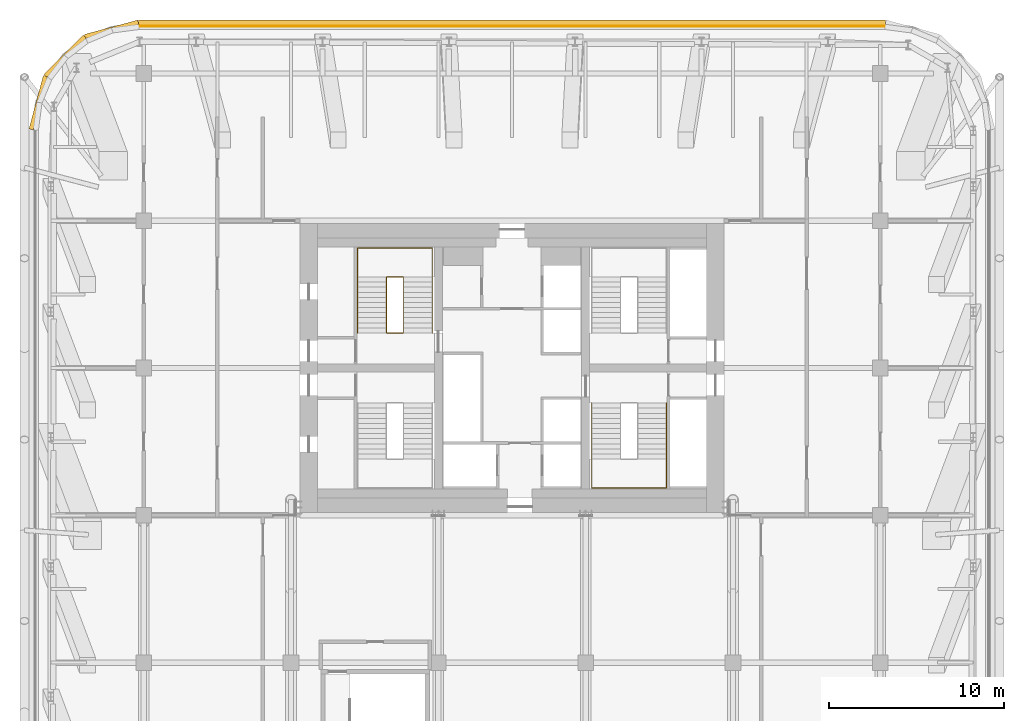
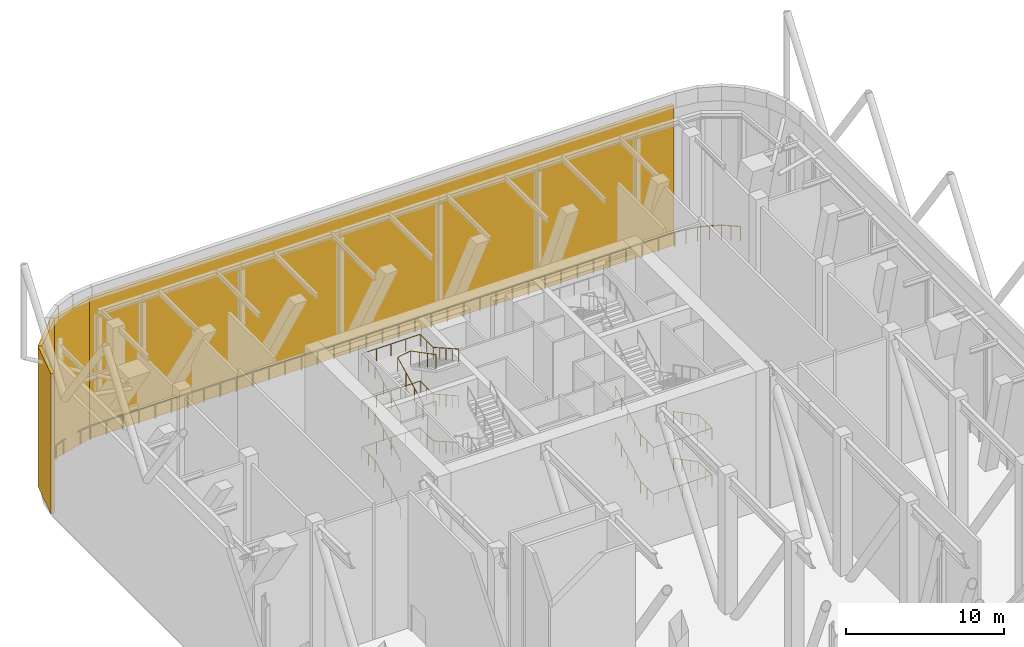
# One storey, part 18 of 20: 7 railings, 4 shading devices.
"""IFC4 building model written with IfcOpenShell, lengths in metres."""

import ifcopenshell
import ifcopenshell.guid

model = None  # the IFC model being written
_history = None  # IfcOwnerHistory: only IFC2X3 demands one
_inside = {}  # id of a spatial element -> (the spatial element, [elements in it])
_under = {}  # id of a project, library or spatial element -> (it, [spatial elements below it])
_declared = {}  # id of a project -> (the project, [libraries it declares])
_typed = {}  # id of a type object -> (the type object, [elements of that type])
_made_of = {}  # id of a material, layer set ... -> (it, [elements and type objects made of it])


def new_model(schema):
    """Start an empty IFC model of exactly this schema.

    Asked for "IFC4X3", IfcOpenShell would pick the latest addendum, in which some entities
    have other attributes; the version numbers below select the first issue.
    IFC2X3 requires an IfcOwnerHistory on every rooted entity: one is made here for all.
    """
    global model, _history
    if schema == "IFC4X3":
        model = ifcopenshell.file(schema_version=(4, 3, 0, 0))
    else:
        model = ifcopenshell.file(schema=schema)
    _inside.clear()
    _under.clear()
    _declared.clear()
    _typed.clear()
    _made_of.clear()
    _history = None
    if model.schema == "IFC2X3":
        org = make("IfcOrganization", Name="unknown")
        user = make(
            "IfcPersonAndOrganization",
            ThePerson=make("IfcPerson", FamilyName="unknown"),
            TheOrganization=org,
        )
        app = make(
            "IfcApplication",
            ApplicationDeveloper=org,
            Version="unknown",
            ApplicationFullName="unknown",
            ApplicationIdentifier="unknown",
        )
        _history = make(
            "IfcOwnerHistory",
            OwningUser=user,
            OwningApplication=app,
            ChangeAction="ADDED",
            CreationDate=0,
        )
    return model


def make(cls, **values):
    """One entity of the class cls with the attributes given. An attribute that is None is left unset."""
    return model.create_entity(
        cls, **{name: value for name, value in values.items() if value is not None}
    )


def rooted(cls, **values):
    """An entity with a GlobalId (a new one), such as an element, a storey or a relation."""
    return make(cls, GlobalId=ifcopenshell.guid.new(), OwnerHistory=_history, **values)


def si_unit(unit_type, name, prefix=None):
    """IfcSIUnit, for example si_unit("LENGTHUNIT", "METRE", prefix="MILLI")."""
    return make("IfcSIUnit", UnitType=unit_type, Prefix=prefix, Name=name)


def assignment(units):
    """IfcUnitAssignment: the units of a project."""
    return None if units is None else make("IfcUnitAssignment", Units=units)


def point(xyz):
    """IfcCartesianPoint."""
    return None if xyz is None else make("IfcCartesianPoint", Coordinates=xyz)


def direction(xyz):
    """IfcDirection."""
    return None if xyz is None else make("IfcDirection", DirectionRatios=xyz)


def frame(location, z_axis=None, x_axis=None):
    """IfcAxis2Placement3D, a coordinate frame: its origin and axes. An axis left out is left unset."""
    return make(
        "IfcAxis2Placement3D",
        Location=point(location),
        Axis=direction(z_axis),
        RefDirection=direction(x_axis),
    )


def frame_2d(location, x_axis=None):
    """IfcAxis2Placement2D, a coordinate frame in the plane: its origin and x axis."""
    return make(
        "IfcAxis2Placement2D", Location=point(location), RefDirection=direction(x_axis)
    )


def origin():
    """The frame at (0, 0, 0) with its axes left unset."""
    return frame((0.0, 0.0, 0.0))


def origin_2d():
    """The frame at (0, 0) in the plane with its x axis left unset."""
    return frame_2d((0.0, 0.0))


def place(relative_to, where):
    """IfcLocalPlacement: puts the frame where relative to a parent placement (None: the world)."""
    return make(
        "IfcLocalPlacement", PlacementRelTo=relative_to, RelativePlacement=where
    )


def context(
    kind, dimensions, precision=None, world=None, true_north=None, identifier=None
):
    """IfcGeometricRepresentationContext, for example the 3D "Model" context."""
    return make(
        "IfcGeometricRepresentationContext",
        ContextIdentifier=identifier,
        ContextType=kind,
        CoordinateSpaceDimension=dimensions,
        Precision=precision,
        WorldCoordinateSystem=world,
        TrueNorth=true_north,
    )


def subcontext(parent, identifier, kind, view, scale=None):
    """IfcGeometricRepresentationSubContext, for example "Body" below "Model"."""
    return make(
        "IfcGeometricRepresentationSubContext",
        ContextIdentifier=identifier,
        ContextType=kind,
        ParentContext=parent,
        TargetScale=scale,
        TargetView=view,
    )


def project(units=None, contexts=None):
    """IfcProject with its units and contexts."""
    return rooted(
        "IfcProject",
        Name="project",
        RepresentationContexts=contexts,
        UnitsInContext=assignment(units),
    )


def spatial(cls, under=None, at=None, **own):
    """A site, building, storey or space (cls), placed at a placement, below another one or the project."""
    s = rooted(cls, ObjectPlacement=at, **own)
    if under is not None:
        _under.setdefault(under.id(), (under, []))[1].append(s)
    return s


def profile(cls, at=None, kind="AREA", **sizes):
    """A parametric profile (cls). Its sizes go by their IFC names, for example OverallWidth=200.0."""
    return make(cls, ProfileType=kind, Position=at, **sizes)


def rectangle(**sizes):
    """IfcRectangleProfileDef."""
    return profile("IfcRectangleProfileDef", **sizes)


def circle(**sizes):
    """IfcCircleProfileDef."""
    return profile("IfcCircleProfileDef", **sizes)


def extrude(swept, where, along, depth):
    """IfcExtrudedAreaSolid: the profile swept, set in the frame where, extruded along a direction by depth."""
    return make(
        "IfcExtrudedAreaSolid",
        SweptArea=swept,
        Position=where,
        ExtrudedDirection=direction(along),
        Depth=depth,
    )


def shape(context_of_items, identifier, shape_type, items):
    """IfcShapeRepresentation: the items that make up one representation, for example the "Body"."""
    return make(
        "IfcShapeRepresentation",
        ContextOfItems=context_of_items,
        RepresentationIdentifier=identifier,
        RepresentationType=shape_type,
        Items=items,
    )


def material(Name=None, Category=None):
    """IfcMaterial."""
    return make("IfcMaterial", Name=Name, Category=Category)


def layer(
    of_material, thickness, ventilated=None, Name=None, Category=None, Priority=None
):
    """IfcMaterialLayer: one layer of a wall or slab, of a material (None: an air gap)."""
    return make(
        "IfcMaterialLayer",
        Material=of_material,
        LayerThickness=thickness,
        IsVentilated=ventilated,
        Name=Name,
        Category=Category,
        Priority=Priority,
    )


def layer_set(layers, Name=None):
    """IfcMaterialLayerSet."""
    return make("IfcMaterialLayerSet", MaterialLayers=layers, LayerSetName=Name)


def made_of(thing, what):
    """Note that an element or type object is made of a material, layer set ...; save() writes the relation."""
    if what is not None:
        _made_of.setdefault(what.id(), (what, []))[1].append(thing)
    return thing


def type_object(cls, material=None, **own):
    """A type object (cls), such as IfcWallType, which elements share."""
    return made_of(rooted(cls, **own), material)


def element(
    cls,
    number,
    at=None,
    inside=None,
    cuts=None,
    type_object=None,
    material=None,
    context=None,
    identifier="Body",
    shape_type=None,
    held_by="IfcProductDefinitionShape",
    body=None,
    shapes=None,
    **own,
):
    """One element of the class cls, such as IfcWall. Its Tag is "e" and its number.

    at: its placement. inside: the storey or other place that contains it. cuts: it is an
    opening in that element (IfcRelVoidsElement). A single representation is given by context,
    identifier, shape_type and body (its items); several are given by shapes. held_by: the class
    of the entity that holds the representations. save() writes the other relations.
    """
    e = rooted(cls, Tag="e%d" % number, ObjectPlacement=at, **own)
    if body is not None:
        shapes = [shape(context, identifier, shape_type, body)]
    if shapes is not None:
        e.Representation = make(held_by, Representations=shapes)
    if inside is not None:
        _inside.setdefault(inside.id(), (inside, []))[1].append(e)
    if cuts is not None:
        rooted(
            "IfcRelVoidsElement", RelatingBuildingElement=cuts, RelatedOpeningElement=e
        )
    if type_object is not None:
        _typed.setdefault(type_object.id(), (type_object, []))[1].append(e)
    return made_of(e, material)


def aggregate(whole, parts):
    """IfcRelAggregates: a whole, such as a stair, and the parts it consists of."""
    return rooted("IfcRelAggregates", RelatingObject=whole, RelatedObjects=parts)


def save(model, path):
    """Write the relations noted so far, then the file.

    IfcRelAggregates (storeys below a building ...), IfcRelContainedInSpatialStructure (elements
    in a storey), IfcRelDefinesByType, IfcRelAssociatesMaterial and IfcRelDeclares: one each for
    every whole, place, type object, material and project.
    """
    for whole, parts in _under.values():
        aggregate(whole, parts)
    for where, things in _inside.values():
        rooted(
            "IfcRelContainedInSpatialStructure",
            RelatedElements=things,
            RelatingStructure=where,
        )
    for kind, things in _typed.values():
        rooted("IfcRelDefinesByType", RelatedObjects=things, RelatingType=kind)
    for what, things in _made_of.values():
        rooted("IfcRelAssociatesMaterial", RelatedObjects=things, RelatingMaterial=what)
    for by, libraries in _declared.values():
        rooted("IfcRelDeclares", RelatingContext=by, RelatedDefinitions=libraries)
    model.write(path)


model = new_model("IFC4")

# Units and contexts
model_context = context("Model", 3, precision=1e-05, world=origin(), true_north=direction((0.0, 1.0)))
body_context = subcontext(model_context, "Body", "Model", "MODEL_VIEW")
ifc_project = project(units=[si_unit("LENGTHUNIT", "METRE"), si_unit("AREAUNIT", "SQUARE_METRE"), si_unit("VOLUMEUNIT", "CUBIC_METRE"), si_unit("PLANEANGLEUNIT", "RADIAN"), si_unit("MASSUNIT", "GRAM", prefix="KILO")], contexts=[model_context])

# Site, building, storey
site_placement = place(None, origin())
site = spatial("IfcSite", under=ifc_project, at=site_placement, CompositionType="ELEMENT")
building_placement = place(site_placement, origin())
building = spatial("IfcBuilding", under=site, at=building_placement, Name="Marenta Gate Hotel Tower", CompositionType="ELEMENT")
storey_placement = place(building_placement, frame((0.0, 0.0, 169.699951171875)))
storey = spatial("IfcBuildingStorey", under=building, at=storey_placement, Name="L40", CompositionType="ELEMENT", Elevation=169.699951171875)

# Railings
ifc_material_1 = material(Name="Stainless steel", Category="steel")
railing_type_1 = type_object("IfcRailingType", Name="Core stair handrail 950", PredefinedType="HANDRAIL", material=ifc_material_1)
railing_1_placement = place(storey_placement, frame((-8.800048828125, 10.39990234375, 0.150146484375)))
element("IfcRailing", 1, at=railing_1_placement, inside=storey, type_object=railing_type_1, Name="HR-950 L40-KR-ST2-1", PredefinedType="HANDRAIL", context=body_context, shape_type="SweptSolid", body=[
    extrude(circle(Radius=0.02392578125, at=origin_2d()), frame((0.0, 0.0, 0.92578125), z_axis=(0.0, 0.888239641807, 0.459380385653), x_axis=(-1.0, 0.0, 0.0)), (0.0, 0.0, 1.0), 3.591552734375),
    extrude(circle(Radius=0.02392578125, at=origin_2d()), frame((0.0, 3.190185546875, 2.57568359375), z_axis=(0.0, 1.0, 0.0), x_axis=(-1.0, 0.0, 0.0)), (0.0, 0.0, 1.0), 1.659912109375),
    extrude(circle(Radius=0.02392578125, at=origin_2d()), frame((0.0, 4.85009765625, 2.57568359375), z_axis=(1.0, 0.0, 0.0), x_axis=(0.0, 1.0, 0.0)), (0.0, 0.0, 1.0), 4.25),
    extrude(circle(Radius=0.02392578125, at=origin_2d()), frame((4.25, 4.85009765625, 2.57568359375), z_axis=(0.0, -1.0, 0.0), x_axis=(1.0, 0.0, 0.0)), (0.0, 0.0, 1.0), 1.659912109375),
    extrude(circle(Radius=0.02392578125, at=origin_2d()), frame((4.25, 3.190185546875, 2.57568359375), z_axis=(0.0, -0.870925075533, 0.491415824742), x_axis=(1.0, 0.0, 0.0)), (0.0, 0.0, 1.0), 3.6630859375),
    extrude(circle(Radius=0.02099609375, at=origin_2d()), origin(), (0.0, 0.0, 1.0), 0.90185546875),
    extrude(circle(Radius=0.02099609375, at=origin_2d()), frame((0.0, 1.0634765625, 0.550048828125)), (0.0, 0.0, 1.0), 0.90185546875),
    extrude(circle(Radius=0.02099609375, at=origin_2d()), frame((0.0, 2.126708984375, 1.099853515625)), (0.0, 0.0, 1.0), 0.90185546875),
    extrude(circle(Radius=0.02099609375, at=origin_2d()), frame((0.0, 3.190185546875, 1.64990234375)), (0.0, 0.0, 1.0), 0.90185546875),
    extrude(circle(Radius=0.02099609375, at=origin_2d()), frame((0.0, 4.02001953125, 1.64990234375)), (0.0, 0.0, 1.0), 0.90185546875),
    extrude(circle(Radius=0.02099609375, at=origin_2d()), frame((0.0, 4.85009765625, 1.64990234375)), (0.0, 0.0, 1.0), 0.90185546875),
    extrude(circle(Radius=0.02099609375, at=origin_2d()), frame((1.0625, 4.85009765625, 1.64990234375)), (0.0, 0.0, 1.0), 0.90185546875),
    extrude(circle(Radius=0.02099609375, at=origin_2d()), frame((2.125, 4.85009765625, 1.64990234375)), (0.0, 0.0, 1.0), 0.90185546875),
    extrude(circle(Radius=0.02099609375, at=origin_2d()), frame((3.1875, 4.85009765625, 1.64990234375)), (0.0, 0.0, 1.0), 0.90185546875),
    extrude(circle(Radius=0.02099609375, at=origin_2d()), frame((4.25, 4.85009765625, 1.64990234375)), (0.0, 0.0, 1.0), 0.90185546875),
    extrude(circle(Radius=0.02099609375, at=origin_2d()), frame((4.25, 4.02001953125, 1.64990234375)), (0.0, 0.0, 1.0), 0.90185546875),
    extrude(circle(Radius=0.02099609375, at=origin_2d()), frame((4.25, 3.190185546875, 1.64990234375)), (0.0, 0.0, 1.0), 0.90185546875),
    extrude(circle(Radius=0.02099609375, at=origin_2d()), frame((4.25, 2.392578125, 2.099853515625)), (0.0, 0.0, 1.0), 0.90185546875),
    extrude(circle(Radius=0.02099609375, at=origin_2d()), frame((4.25, 1.59521484375, 2.5498046875)), (0.0, 0.0, 1.0), 0.90185546875),
    extrude(circle(Radius=0.02099609375, at=origin_2d()), frame((4.25, 0.797607421875, 3.0)), (0.0, 0.0, 1.0), 0.90185546875),
    extrude(circle(Radius=0.02099609375, at=origin_2d()), frame((4.25, 0.0, 3.449951171875)), (0.0, 0.0, 1.0), 0.90185546875),
])
railing_2_placement = place(storey_placement, frame((-8.800048828125, 10.39990234375, 3.75)))
element("IfcRailing", 2, at=railing_2_placement, inside=storey, type_object=railing_type_1, Name="HR-950 L40-KR-ST2-3", PredefinedType="HANDRAIL", context=body_context, shape_type="SweptSolid", body=[
    extrude(circle(Radius=0.02392578125, at=origin_2d()), frame((0.0, 0.0, 0.92578125), z_axis=(0.0, 0.888211904222, 0.459434013977), x_axis=(-1.0, 0.0, 0.0)), (0.0, 0.0, 1.0), 3.591796875),
    extrude(circle(Radius=0.02392578125, at=origin_2d()), frame((0.0, 3.190185546875, 2.576171875), z_axis=(0.0, 1.0, 0.0), x_axis=(-1.0, 0.0, 0.0)), (0.0, 0.0, 1.0), 1.659912109375),
    extrude(circle(Radius=0.02392578125, at=origin_2d()), frame((0.0, 4.85009765625, 2.576171875), z_axis=(1.0, 0.0, 0.0), x_axis=(0.0, 1.0, 0.0)), (0.0, 0.0, 1.0), 4.25),
    extrude(circle(Radius=0.02392578125, at=origin_2d()), frame((4.25, 4.85009765625, 2.576171875), z_axis=(0.0, -1.0, 0.0), x_axis=(1.0, 0.0, 0.0)), (0.0, 0.0, 1.0), 1.659912109375),
    extrude(circle(Radius=0.02392578125, at=origin_2d()), frame((4.25, 3.190185546875, 2.576171875), z_axis=(0.0, -0.870953600603, 0.491365266982), x_axis=(1.0, 0.0, 0.0)), (0.0, 0.0, 1.0), 3.662841796875),
    extrude(circle(Radius=0.02099609375, at=origin_2d()), origin(), (0.0, 0.0, 1.0), 0.90185546875),
    extrude(circle(Radius=0.02099609375, at=origin_2d()), frame((0.0, 1.0634765625, 0.550048828125)), (0.0, 0.0, 1.0), 0.90185546875),
    extrude(circle(Radius=0.02099609375, at=origin_2d()), frame((0.0, 2.126708984375, 1.10009765625)), (0.0, 0.0, 1.0), 0.90185546875),
    extrude(circle(Radius=0.02099609375, at=origin_2d()), frame((0.0, 3.190185546875, 1.650146484375)), (0.0, 0.0, 1.0), 0.90185546875),
    extrude(circle(Radius=0.02099609375, at=origin_2d()), frame((0.0, 4.02001953125, 1.650146484375)), (0.0, 0.0, 1.0), 0.90185546875),
    extrude(circle(Radius=0.02099609375, at=origin_2d()), frame((0.0, 4.85009765625, 1.650146484375)), (0.0, 0.0, 1.0), 0.90185546875),
    extrude(circle(Radius=0.02099609375, at=origin_2d()), frame((1.0625, 4.85009765625, 1.650146484375)), (0.0, 0.0, 1.0), 0.90185546875),
    extrude(circle(Radius=0.02099609375, at=origin_2d()), frame((2.125, 4.85009765625, 1.650146484375)), (0.0, 0.0, 1.0), 0.90185546875),
    extrude(circle(Radius=0.02099609375, at=origin_2d()), frame((3.1875, 4.85009765625, 1.650146484375)), (0.0, 0.0, 1.0), 0.90185546875),
    extrude(circle(Radius=0.02099609375, at=origin_2d()), frame((4.25, 4.85009765625, 1.650146484375)), (0.0, 0.0, 1.0), 0.90185546875),
    extrude(circle(Radius=0.02099609375, at=origin_2d()), frame((4.25, 4.02001953125, 1.650146484375)), (0.0, 0.0, 1.0), 0.90185546875),
    extrude(circle(Radius=0.02099609375, at=origin_2d()), frame((4.25, 3.190185546875, 1.650146484375)), (0.0, 0.0, 1.0), 0.90185546875),
    extrude(circle(Radius=0.02099609375, at=origin_2d()), frame((4.25, 2.392578125, 2.10009765625)), (0.0, 0.0, 1.0), 0.90185546875),
    extrude(circle(Radius=0.02099609375, at=origin_2d()), frame((4.25, 1.59521484375, 2.550048828125)), (0.0, 0.0, 1.0), 0.90185546875),
    extrude(circle(Radius=0.02099609375, at=origin_2d()), frame((4.25, 0.797607421875, 3.0)), (0.0, 0.0, 1.0), 0.90185546875),
    extrude(circle(Radius=0.02099609375, at=origin_2d()), frame((4.25, 0.0, 3.449951171875)), (0.0, 0.0, 1.0), 0.90185546875),
])
railing_3_placement = place(storey_placement, frame((-8.800048828125, 10.39990234375, 7.35009765625)))
element("IfcRailing", 3, at=railing_3_placement, inside=storey, type_object=railing_type_1, Name="HR-950 L40-KR-ST2-5", PredefinedType="HANDRAIL", context=body_context, shape_type="SweptSolid", body=[
    extrude(circle(Radius=0.02392578125, at=origin_2d()), frame((0.0, 0.0, 0.92578125), z_axis=(0.0, 0.888239641807, 0.459380385653), x_axis=(-1.0, 0.0, 0.0)), (0.0, 0.0, 1.0), 3.591552734375),
    extrude(circle(Radius=0.02392578125, at=origin_2d()), frame((0.0, 3.190185546875, 2.57568359375), z_axis=(0.0, 1.0, 0.0), x_axis=(-1.0, 0.0, 0.0)), (0.0, 0.0, 1.0), 1.659912109375),
    extrude(circle(Radius=0.02392578125, at=origin_2d()), frame((0.0, 4.85009765625, 2.57568359375), z_axis=(1.0, 0.0, 0.0), x_axis=(0.0, 1.0, 0.0)), (0.0, 0.0, 1.0), 4.25),
    extrude(circle(Radius=0.02392578125, at=origin_2d()), frame((4.25, 4.85009765625, 2.57568359375), z_axis=(0.0, -1.0, 0.0), x_axis=(1.0, 0.0, 0.0)), (0.0, 0.0, 1.0), 1.659912109375),
    extrude(circle(Radius=0.02392578125, at=origin_2d()), frame((4.25, 3.190185546875, 2.57568359375), z_axis=(0.0, -0.870925075533, 0.491415824742), x_axis=(1.0, 0.0, 0.0)), (0.0, 0.0, 1.0), 3.6630859375),
    extrude(circle(Radius=0.02099609375, at=origin_2d()), origin(), (0.0, 0.0, 1.0), 0.90185546875),
    extrude(circle(Radius=0.02099609375, at=origin_2d()), frame((0.0, 1.0634765625, 0.550048828125)), (0.0, 0.0, 1.0), 0.90185546875),
    extrude(circle(Radius=0.02099609375, at=origin_2d()), frame((0.0, 2.126708984375, 1.099853515625)), (0.0, 0.0, 1.0), 0.90185546875),
    extrude(circle(Radius=0.02099609375, at=origin_2d()), frame((0.0, 3.190185546875, 1.64990234375)), (0.0, 0.0, 1.0), 0.90185546875),
    extrude(circle(Radius=0.02099609375, at=origin_2d()), frame((0.0, 4.02001953125, 1.64990234375)), (0.0, 0.0, 1.0), 0.90185546875),
    extrude(circle(Radius=0.02099609375, at=origin_2d()), frame((0.0, 4.85009765625, 1.64990234375)), (0.0, 0.0, 1.0), 0.90185546875),
    extrude(circle(Radius=0.02099609375, at=origin_2d()), frame((1.0625, 4.85009765625, 1.64990234375)), (0.0, 0.0, 1.0), 0.90185546875),
    extrude(circle(Radius=0.02099609375, at=origin_2d()), frame((2.125, 4.85009765625, 1.64990234375)), (0.0, 0.0, 1.0), 0.90185546875),
    extrude(circle(Radius=0.02099609375, at=origin_2d()), frame((3.1875, 4.85009765625, 1.64990234375)), (0.0, 0.0, 1.0), 0.90185546875),
    extrude(circle(Radius=0.02099609375, at=origin_2d()), frame((4.25, 4.85009765625, 1.64990234375)), (0.0, 0.0, 1.0), 0.90185546875),
    extrude(circle(Radius=0.02099609375, at=origin_2d()), frame((4.25, 4.02001953125, 1.64990234375)), (0.0, 0.0, 1.0), 0.90185546875),
    extrude(circle(Radius=0.02099609375, at=origin_2d()), frame((4.25, 3.190185546875, 1.64990234375)), (0.0, 0.0, 1.0), 0.90185546875),
    extrude(circle(Radius=0.02099609375, at=origin_2d()), frame((4.25, 2.392578125, 2.099853515625)), (0.0, 0.0, 1.0), 0.90185546875),
    extrude(circle(Radius=0.02099609375, at=origin_2d()), frame((4.25, 1.59521484375, 2.5498046875)), (0.0, 0.0, 1.0), 0.90185546875),
    extrude(circle(Radius=0.02099609375, at=origin_2d()), frame((4.25, 0.797607421875, 3.0)), (0.0, 0.0, 1.0), 0.90185546875),
    extrude(circle(Radius=0.02099609375, at=origin_2d()), frame((4.25, 0.0, 3.449951171875)), (0.0, 0.0, 1.0), 0.90185546875),
])
railing_4_placement = place(storey_placement, frame((8.800048828125, 6.39990234375, 0.150146484375)))
element("IfcRailing", 4, at=railing_4_placement, inside=storey, type_object=railing_type_1, Name="HR-950 L40-KR-ST3-1", PredefinedType="HANDRAIL", context=body_context, shape_type="SweptSolid", body=[
    extrude(circle(Radius=0.02392578125, at=origin_2d()), frame((0.0, 0.0, 0.92578125), z_axis=(0.0, -0.888225295554, 0.459408123936), x_axis=(1.0, 0.0, 0.0)), (0.0, 0.0, 1.0), 3.59130859375),
    extrude(circle(Radius=0.02392578125, at=origin_2d()), frame((0.0, -3.18994140625, 2.57568359375), z_axis=(0.0, -1.0, 0.0), x_axis=(1.0, 0.0, 0.0)), (0.0, 0.0, 1.0), 1.659912109375),
    extrude(circle(Radius=0.02392578125, at=origin_2d()), frame((0.0, -4.849853515625, 2.57568359375), z_axis=(-1.0, 0.0, 0.0), x_axis=(0.0, -1.0, 0.0)), (0.0, 0.0, 1.0), 4.25),
    extrude(circle(Radius=0.02392578125, at=origin_2d()), frame((-4.25, -4.849853515625, 2.57568359375), z_axis=(0.0, 1.0, 0.0), x_axis=(-1.0, 0.0, 0.0)), (0.0, 0.0, 1.0), 1.659912109375),
    extrude(circle(Radius=0.02392578125, at=origin_2d()), frame((-4.25, -3.18994140625, 2.57568359375), z_axis=(0.0, 0.87090897868, 0.491444351738), x_axis=(-1.0, 0.0, 0.0)), (0.0, 0.0, 1.0), 3.662841796875),
    extrude(circle(Radius=0.02099609375, at=origin_2d()), origin(), (0.0, 0.0, 1.0), 0.90185546875),
    extrude(circle(Radius=0.02099609375, at=origin_2d()), frame((0.0, -1.063232421875, 0.550048828125)), (0.0, 0.0, 1.0), 0.90185546875),
    extrude(circle(Radius=0.02099609375, at=origin_2d()), frame((0.0, -2.126708984375, 1.099853515625)), (0.0, 0.0, 1.0), 0.90185546875),
    extrude(circle(Radius=0.02099609375, at=origin_2d()), frame((0.0, -3.18994140625, 1.64990234375)), (0.0, 0.0, 1.0), 0.90185546875),
    extrude(circle(Radius=0.02099609375, at=origin_2d()), frame((0.0, -4.02001953125, 1.64990234375)), (0.0, 0.0, 1.0), 0.90185546875),
    extrude(circle(Radius=0.02099609375, at=origin_2d()), frame((0.0, -4.849853515625, 1.64990234375)), (0.0, 0.0, 1.0), 0.90185546875),
    extrude(circle(Radius=0.02099609375, at=origin_2d()), frame((-1.0625, -4.849853515625, 1.64990234375)), (0.0, 0.0, 1.0), 0.90185546875),
    extrude(circle(Radius=0.02099609375, at=origin_2d()), frame((-2.125, -4.849853515625, 1.64990234375)), (0.0, 0.0, 1.0), 0.90185546875),
    extrude(circle(Radius=0.02099609375, at=origin_2d()), frame((-3.1875, -4.849853515625, 1.64990234375)), (0.0, 0.0, 1.0), 0.90185546875),
    extrude(circle(Radius=0.02099609375, at=origin_2d()), frame((-4.25, -4.849853515625, 1.64990234375)), (0.0, 0.0, 1.0), 0.90185546875),
    extrude(circle(Radius=0.02099609375, at=origin_2d()), frame((-4.25, -4.02001953125, 1.64990234375)), (0.0, 0.0, 1.0), 0.90185546875),
    extrude(circle(Radius=0.02099609375, at=origin_2d()), frame((-4.25, -3.18994140625, 1.64990234375)), (0.0, 0.0, 1.0), 0.90185546875),
    extrude(circle(Radius=0.02099609375, at=origin_2d()), frame((-4.25, -2.392578125, 2.099853515625)), (0.0, 0.0, 1.0), 0.90185546875),
    extrude(circle(Radius=0.02099609375, at=origin_2d()), frame((-4.25, -1.594970703125, 2.5498046875)), (0.0, 0.0, 1.0), 0.90185546875),
    extrude(circle(Radius=0.02099609375, at=origin_2d()), frame((-4.25, -0.79736328125, 3.0)), (0.0, 0.0, 1.0), 0.90185546875),
    extrude(circle(Radius=0.02099609375, at=origin_2d()), frame((-4.25, 0.0, 3.449951171875)), (0.0, 0.0, 1.0), 0.90185546875),
])
railing_5_placement = place(storey_placement, frame((8.800048828125, 6.39990234375, 3.75)))
element("IfcRailing", 5, at=railing_5_placement, inside=storey, type_object=railing_type_1, Name="HR-950 L40-KR-ST3-3", PredefinedType="HANDRAIL", context=body_context, shape_type="SweptSolid", body=[
    extrude(circle(Radius=0.02392578125, at=origin_2d()), frame((0.0, 0.0, 0.92578125), z_axis=(0.0, -0.888197555067, 0.459461753765), x_axis=(1.0, 0.0, 0.0)), (0.0, 0.0, 1.0), 3.591552734375),
    extrude(circle(Radius=0.02392578125, at=origin_2d()), frame((0.0, -3.18994140625, 2.576171875), z_axis=(0.0, -1.0, 0.0), x_axis=(1.0, 0.0, 0.0)), (0.0, 0.0, 1.0), 1.659912109375),
    extrude(circle(Radius=0.02392578125, at=origin_2d()), frame((0.0, -4.849853515625, 2.576171875), z_axis=(-1.0, 0.0, 0.0), x_axis=(0.0, -1.0, 0.0)), (0.0, 0.0, 1.0), 4.25),
    extrude(circle(Radius=0.02392578125, at=origin_2d()), frame((-4.25, -4.849853515625, 2.576171875), z_axis=(0.0, 1.0, 0.0), x_axis=(-1.0, 0.0, 0.0)), (0.0, 0.0, 1.0), 1.659912109375),
    extrude(circle(Radius=0.02392578125, at=origin_2d()), frame((-4.25, -3.18994140625, 2.576171875), z_axis=(0.0, 0.870937506535, 0.491393792911), x_axis=(-1.0, 0.0, 0.0)), (0.0, 0.0, 1.0), 3.66259765625),
    extrude(circle(Radius=0.02099609375, at=origin_2d()), origin(), (0.0, 0.0, 1.0), 0.90185546875),
    extrude(circle(Radius=0.02099609375, at=origin_2d()), frame((0.0, -1.063232421875, 0.550048828125)), (0.0, 0.0, 1.0), 0.90185546875),
    extrude(circle(Radius=0.02099609375, at=origin_2d()), frame((0.0, -2.126708984375, 1.10009765625)), (0.0, 0.0, 1.0), 0.90185546875),
    extrude(circle(Radius=0.02099609375, at=origin_2d()), frame((0.0, -3.18994140625, 1.650146484375)), (0.0, 0.0, 1.0), 0.90185546875),
    extrude(circle(Radius=0.02099609375, at=origin_2d()), frame((0.0, -4.02001953125, 1.650146484375)), (0.0, 0.0, 1.0), 0.90185546875),
    extrude(circle(Radius=0.02099609375, at=origin_2d()), frame((0.0, -4.849853515625, 1.650146484375)), (0.0, 0.0, 1.0), 0.90185546875),
    extrude(circle(Radius=0.02099609375, at=origin_2d()), frame((-1.0625, -4.849853515625, 1.650146484375)), (0.0, 0.0, 1.0), 0.90185546875),
    extrude(circle(Radius=0.02099609375, at=origin_2d()), frame((-2.125, -4.849853515625, 1.650146484375)), (0.0, 0.0, 1.0), 0.90185546875),
    extrude(circle(Radius=0.02099609375, at=origin_2d()), frame((-3.1875, -4.849853515625, 1.650146484375)), (0.0, 0.0, 1.0), 0.90185546875),
    extrude(circle(Radius=0.02099609375, at=origin_2d()), frame((-4.25, -4.849853515625, 1.650146484375)), (0.0, 0.0, 1.0), 0.90185546875),
    extrude(circle(Radius=0.02099609375, at=origin_2d()), frame((-4.25, -4.02001953125, 1.650146484375)), (0.0, 0.0, 1.0), 0.90185546875),
    extrude(circle(Radius=0.02099609375, at=origin_2d()), frame((-4.25, -3.18994140625, 1.650146484375)), (0.0, 0.0, 1.0), 0.90185546875),
    extrude(circle(Radius=0.02099609375, at=origin_2d()), frame((-4.25, -2.392578125, 2.10009765625)), (0.0, 0.0, 1.0), 0.90185546875),
    extrude(circle(Radius=0.02099609375, at=origin_2d()), frame((-4.25, -1.594970703125, 2.550048828125)), (0.0, 0.0, 1.0), 0.90185546875),
    extrude(circle(Radius=0.02099609375, at=origin_2d()), frame((-4.25, -0.79736328125, 3.0)), (0.0, 0.0, 1.0), 0.90185546875),
    extrude(circle(Radius=0.02099609375, at=origin_2d()), frame((-4.25, 0.0, 3.449951171875)), (0.0, 0.0, 1.0), 0.90185546875),
])
ifc_material_2 = material(Name="Stainless steel", Category="steel")
railing_type_2 = type_object("IfcRailingType", Name="Core stair well guard 1100", PredefinedType="GUARDRAIL", material=ifc_material_2)
railing_6_placement = place(storey_placement, frame((-6.199951171875, 10.39990234375, 7.199951171875)))
element("IfcRailing", 6, at=railing_6_placement, inside=storey, type_object=railing_type_2, Name="GR-1100 L40-KR-ST2-6", PredefinedType="GUARDRAIL", context=body_context, shape_type="SweptSolid", body=[
    extrude(circle(Radius=0.02392578125, at=origin_2d()), frame((0.0, 0.0, 1.076171875), z_axis=(-1.0, 0.0, 0.0), x_axis=(0.0, -1.0, 0.0)), (0.0, 0.0, 1.0), 0.949951171875),
    extrude(circle(Radius=0.02392578125, at=origin_2d()), frame((-0.949951171875, 0.0, 1.076171875), z_axis=(0.0, 0.0, 1.0), x_axis=(1.0, 0.0, 0.0)), (0.0, 0.0, 1.0), 0.150146484375),
    extrude(circle(Radius=0.02392578125, at=origin_2d()), frame((-0.949951171875, 0.0, 1.22607421875), z_axis=(0.0, 0.888239641807, 0.459380385653), x_axis=(-1.0, 0.0, 0.0)), (0.0, 0.0, 1.0), 3.591552734375),
    extrude(circle(Radius=0.02392578125, at=origin_2d()), frame((-0.949951171875, 3.190185546875, 2.8759765625), z_axis=(0.987738253826, 0.0, 0.156118999255), x_axis=(0.0, 1.0, 0.0)), (0.0, 0.0, 1.0), 0.961669921875),
    extrude(circle(Radius=0.02392578125, at=origin_2d()), frame((0.0, 3.190185546875, 3.0263671875), z_axis=(0.0, -0.888239641807, 0.459380385653), x_axis=(1.0, 0.0, 0.0)), (0.0, 0.0, 1.0), 3.591552734375),
    extrude(circle(Radius=0.02099609375, at=origin_2d()), origin(), (0.0, 0.0, 1.0), 1.052001953125),
    extrude(circle(Radius=0.02099609375, at=origin_2d()), frame((-0.949951171875, 0.0, 0.0)), (0.0, 0.0, 1.0), 1.052001953125),
    extrude(circle(Radius=0.02099609375, at=origin_2d()), frame((-0.949951171875, 0.0, 0.150146484375)), (0.0, 0.0, 1.0), 1.052001953125),
    extrude(circle(Radius=0.02099609375, at=origin_2d()), frame((-0.949951171875, 1.0634765625, 0.7001953125)), (0.0, 0.0, 1.0), 1.052001953125),
    extrude(circle(Radius=0.02099609375, at=origin_2d()), frame((-0.949951171875, 2.126708984375, 1.25)), (0.0, 0.0, 1.0), 1.052001953125),
    extrude(circle(Radius=0.02099609375, at=origin_2d()), frame((-0.949951171875, 3.190185546875, 1.800048828125)), (0.0, 0.0, 1.0), 1.052001953125),
    extrude(circle(Radius=0.02099609375, at=origin_2d()), frame((0.0, 3.190185546875, 1.9501953125)), (0.0, 0.0, 1.0), 1.052001953125),
    extrude(circle(Radius=0.02099609375, at=origin_2d()), frame((0.0, 2.126708984375, 2.500244140625)), (0.0, 0.0, 1.0), 1.052001953125),
    extrude(circle(Radius=0.02099609375, at=origin_2d()), frame((0.0, 1.0634765625, 3.050048828125)), (0.0, 0.0, 1.0), 1.052001953125),
    extrude(circle(Radius=0.02099609375, at=origin_2d()), frame((0.0, 0.0, 3.60009765625)), (0.0, 0.0, 1.0), 1.052001953125),
])
ifc_material_3 = material(Name="Stainless steel", Category="steel")
railing_type_3 = type_object("IfcRailingType", Name="Guard 1100 stainless balustrade", PredefinedType="GUARDRAIL", material=ifc_material_3)
railing_7_placement = place(storey_placement, frame((-25.198486328125, 26.35546875, 0.0)))
element("IfcRailing", 7, at=railing_7_placement, inside=storey, type_object=railing_type_3, Name="Guard", PredefinedType="GUARDRAIL", context=body_context, shape_type="SweptSolid", body=[
    extrude(circle(Radius=0.02392578125, at=origin_2d()), frame((0.0, 0.0, 1.076171875), z_axis=(0.793359232926, 0.608753749501, 0.0), x_axis=(-0.608753749501, 0.793359232926, 0.0)), (0.0, 0.0, 1.0), 1.208740234375),
    extrude(circle(Radius=0.02392578125, at=origin_2d()), frame((0.958984375, 0.73583984375, 1.076171875), z_axis=(0.923865605463, 0.382717053503, 0.0), x_axis=(-0.382717053503, 0.923865605463, 0.0)), (0.0, 0.0, 1.0), 1.534912109375),
    extrude(circle(Radius=0.02392578125, at=origin_2d()), frame((2.376953125, 1.3232421875, 1.076171875), z_axis=(0.991461296504, 0.130401294225, 0.0), x_axis=(-0.130401294225, 0.991461296504, 0.0)), (0.0, 0.0, 1.0), 1.542724609375),
    extrude(circle(Radius=0.02392578125, at=origin_2d()), frame((3.906494140625, 1.5244140625, 1.076171875), z_axis=(1.0, 0.0, 0.0), x_axis=(0.0, 1.0, 0.0)), (0.0, 0.0, 1.0), 42.583984375),
    extrude(circle(Radius=0.02392578125, at=origin_2d()), frame((46.490478515625, 1.5244140625, 1.076171875), z_axis=(0.991461296504, -0.130401294225, 0.0), x_axis=(0.130401294225, 0.991461296504, 0.0)), (0.0, 0.0, 1.0), 1.542724609375),
    extrude(circle(Radius=0.02392578125, at=origin_2d()), frame((48.02001953125, 1.3232421875, 1.076171875), z_axis=(0.923865605463, -0.382717053503, 0.0), x_axis=(0.382717053503, 0.923865605463, 0.0)), (0.0, 0.0, 1.0), 1.534912109375),
    extrude(circle(Radius=0.02392578125, at=origin_2d()), frame((49.43798828125, 0.73583984375, 1.076171875), z_axis=(0.793359232926, -0.608753749501, 0.0), x_axis=(0.608753749501, 0.793359232926, 0.0)), (0.0, 0.0, 1.0), 1.208740234375),
    extrude(circle(Radius=0.02099609375, at=origin_2d()), origin(), (0.0, 0.0, 1.0), 1.052001953125),
    extrude(circle(Radius=0.02099609375, at=origin_2d()), frame((0.4794921875, 0.367919921875, 0.0)), (0.0, 0.0, 1.0), 1.052001953125),
    extrude(circle(Radius=0.02099609375, at=origin_2d()), frame((0.958984375, 0.73583984375, 0.0)), (0.0, 0.0, 1.0), 1.052001953125),
    extrude(circle(Radius=0.02099609375, at=origin_2d()), frame((1.66796875, 1.029541015625, 0.0)), (0.0, 0.0, 1.0), 1.052001953125),
    extrude(circle(Radius=0.02099609375, at=origin_2d()), frame((2.376953125, 1.3232421875, 0.0)), (0.0, 0.0, 1.0), 1.052001953125),
    extrude(circle(Radius=0.02099609375, at=origin_2d()), frame((3.1416015625, 1.423828125, 0.0)), (0.0, 0.0, 1.0), 1.052001953125),
    extrude(circle(Radius=0.02099609375, at=origin_2d()), frame((3.906494140625, 1.5244140625, 0.0)), (0.0, 0.0, 1.0), 1.052001953125),
    extrude(circle(Radius=0.02099609375, at=origin_2d()), frame((5.08935546875, 1.5244140625, 0.0)), (0.0, 0.0, 1.0), 1.052001953125),
    extrude(circle(Radius=0.02099609375, at=origin_2d()), frame((6.272216796875, 1.5244140625, 0.0)), (0.0, 0.0, 1.0), 1.052001953125),
    extrude(circle(Radius=0.02099609375, at=origin_2d()), frame((7.455078125, 1.5244140625, 0.0)), (0.0, 0.0, 1.0), 1.052001953125),
    extrude(circle(Radius=0.02099609375, at=origin_2d()), frame((8.637939453125, 1.5244140625, 0.0)), (0.0, 0.0, 1.0), 1.052001953125),
    extrude(circle(Radius=0.02099609375, at=origin_2d()), frame((9.821044921875, 1.5244140625, 0.0)), (0.0, 0.0, 1.0), 1.052001953125),
    extrude(circle(Radius=0.02099609375, at=origin_2d()), frame((11.00390625, 1.5244140625, 0.0)), (0.0, 0.0, 1.0), 1.052001953125),
    extrude(circle(Radius=0.02099609375, at=origin_2d()), frame((12.186767578125, 1.5244140625, 0.0)), (0.0, 0.0, 1.0), 1.052001953125),
    extrude(circle(Radius=0.02099609375, at=origin_2d()), frame((13.36962890625, 1.5244140625, 0.0)), (0.0, 0.0, 1.0), 1.052001953125),
    extrude(circle(Radius=0.02099609375, at=origin_2d()), frame((14.552490234375, 1.5244140625, 0.0)), (0.0, 0.0, 1.0), 1.052001953125),
    extrude(circle(Radius=0.02099609375, at=origin_2d()), frame((15.7353515625, 1.5244140625, 0.0)), (0.0, 0.0, 1.0), 1.052001953125),
    extrude(circle(Radius=0.02099609375, at=origin_2d()), frame((16.918212890625, 1.5244140625, 0.0)), (0.0, 0.0, 1.0), 1.052001953125),
    extrude(circle(Radius=0.02099609375, at=origin_2d()), frame((18.10107421875, 1.5244140625, 0.0)), (0.0, 0.0, 1.0), 1.052001953125),
    extrude(circle(Radius=0.02099609375, at=origin_2d()), frame((19.283935546875, 1.5244140625, 0.0)), (0.0, 0.0, 1.0), 1.052001953125),
    extrude(circle(Radius=0.02099609375, at=origin_2d()), frame((20.467041015625, 1.5244140625, 0.0)), (0.0, 0.0, 1.0), 1.052001953125),
    extrude(circle(Radius=0.02099609375, at=origin_2d()), frame((21.64990234375, 1.5244140625, 0.0)), (0.0, 0.0, 1.0), 1.052001953125),
    extrude(circle(Radius=0.02099609375, at=origin_2d()), frame((22.832763671875, 1.5244140625, 0.0)), (0.0, 0.0, 1.0), 1.052001953125),
    extrude(circle(Radius=0.02099609375, at=origin_2d()), frame((24.015625, 1.5244140625, 0.0)), (0.0, 0.0, 1.0), 1.052001953125),
    extrude(circle(Radius=0.02099609375, at=origin_2d()), frame((25.198486328125, 1.5244140625, 0.0)), (0.0, 0.0, 1.0), 1.052001953125),
    extrude(circle(Radius=0.02099609375, at=origin_2d()), frame((26.38134765625, 1.5244140625, 0.0)), (0.0, 0.0, 1.0), 1.052001953125),
    extrude(circle(Radius=0.02099609375, at=origin_2d()), frame((27.564208984375, 1.5244140625, 0.0)), (0.0, 0.0, 1.0), 1.052001953125),
    extrude(circle(Radius=0.02099609375, at=origin_2d()), frame((28.7470703125, 1.5244140625, 0.0)), (0.0, 0.0, 1.0), 1.052001953125),
    extrude(circle(Radius=0.02099609375, at=origin_2d()), frame((29.929931640625, 1.5244140625, 0.0)), (0.0, 0.0, 1.0), 1.052001953125),
    extrude(circle(Radius=0.02099609375, at=origin_2d()), frame((31.113037109375, 1.5244140625, 0.0)), (0.0, 0.0, 1.0), 1.052001953125),
    extrude(circle(Radius=0.02099609375, at=origin_2d()), frame((32.2958984375, 1.5244140625, 0.0)), (0.0, 0.0, 1.0), 1.052001953125),
    extrude(circle(Radius=0.02099609375, at=origin_2d()), frame((33.478759765625, 1.5244140625, 0.0)), (0.0, 0.0, 1.0), 1.052001953125),
    extrude(circle(Radius=0.02099609375, at=origin_2d()), frame((34.66162109375, 1.5244140625, 0.0)), (0.0, 0.0, 1.0), 1.052001953125),
    extrude(circle(Radius=0.02099609375, at=origin_2d()), frame((35.844482421875, 1.5244140625, 0.0)), (0.0, 0.0, 1.0), 1.052001953125),
    extrude(circle(Radius=0.02099609375, at=origin_2d()), frame((37.02734375, 1.5244140625, 0.0)), (0.0, 0.0, 1.0), 1.052001953125),
    extrude(circle(Radius=0.02099609375, at=origin_2d()), frame((38.210205078125, 1.5244140625, 0.0)), (0.0, 0.0, 1.0), 1.052001953125),
    extrude(circle(Radius=0.02099609375, at=origin_2d()), frame((39.39306640625, 1.5244140625, 0.0)), (0.0, 0.0, 1.0), 1.052001953125),
    extrude(circle(Radius=0.02099609375, at=origin_2d()), frame((40.575927734375, 1.5244140625, 0.0)), (0.0, 0.0, 1.0), 1.052001953125),
    extrude(circle(Radius=0.02099609375, at=origin_2d()), frame((41.759033203125, 1.5244140625, 0.0)), (0.0, 0.0, 1.0), 1.052001953125),
    extrude(circle(Radius=0.02099609375, at=origin_2d()), frame((42.94189453125, 1.5244140625, 0.0)), (0.0, 0.0, 1.0), 1.052001953125),
    extrude(circle(Radius=0.02099609375, at=origin_2d()), frame((44.124755859375, 1.5244140625, 0.0)), (0.0, 0.0, 1.0), 1.052001953125),
    extrude(circle(Radius=0.02099609375, at=origin_2d()), frame((45.3076171875, 1.5244140625, 0.0)), (0.0, 0.0, 1.0), 1.052001953125),
    extrude(circle(Radius=0.02099609375, at=origin_2d()), frame((46.490478515625, 1.5244140625, 0.0)), (0.0, 0.0, 1.0), 1.052001953125),
    extrude(circle(Radius=0.02099609375, at=origin_2d()), frame((47.25537109375, 1.423828125, 0.0)), (0.0, 0.0, 1.0), 1.052001953125),
    extrude(circle(Radius=0.02099609375, at=origin_2d()), frame((48.02001953125, 1.3232421875, 0.0)), (0.0, 0.0, 1.0), 1.052001953125),
    extrude(circle(Radius=0.02099609375, at=origin_2d()), frame((48.72900390625, 1.029541015625, 0.0)), (0.0, 0.0, 1.0), 1.052001953125),
    extrude(circle(Radius=0.02099609375, at=origin_2d()), frame((49.43798828125, 0.73583984375, 0.0)), (0.0, 0.0, 1.0), 1.052001953125),
    extrude(circle(Radius=0.02099609375, at=origin_2d()), frame((49.91748046875, 0.367919921875, 0.0)), (0.0, 0.0, 1.0), 1.052001953125),
    extrude(circle(Radius=0.02099609375, at=origin_2d()), frame((50.39697265625, 0.0, 0.0)), (0.0, 0.0, 1.0), 1.052001953125),
])

# Shading devices
ifc_material_4 = material(Name="Bronze anodised aluminium louvre", Category="aluminium")
ifc_layer = layer(ifc_material_4, 0.25)
ifc_layer_set = layer_set([ifc_layer], Name="Bronze anodised aluminium louvre")
shading_device_type = type_object("IfcShadingDeviceType", Name="Louvred plant screen 250 mm", PredefinedType="JALOUSIE", material=ifc_layer_set)
shading_device_1_placement = place(storey_placement, frame((21.307861328125, 28.11962890625, 0.0), z_axis=(0.0, 0.0, 1.0), x_axis=(-1.0, 0.0, 0.0)))
element("IfcShadingDevice", 8, at=shading_device_1_placement, inside=storey, type_object=shading_device_type, Name="Louvred plant screen", PredefinedType="JALOUSIE", context=body_context, shape_type="SweptSolid", body=[
    extrude(rectangle(XDim=42.61572265625, YDim=0.25, at=frame_2d((21.307861328125, 0.0))), origin(), (0.0, 0.0, 1.0), 10.800048828125),
])
shading_device_2_placement = place(storey_placement, frame((-21.307861328125, 28.11962890625, 0.0), z_axis=(0.0, 0.0, 1.0), x_axis=(-0.965788586245, -0.259330689812, 0.0)))
element("IfcShadingDevice", 9, at=shading_device_2_placement, inside=storey, type_object=shading_device_type, Name="Louvred plant screen", PredefinedType="JALOUSIE", context=body_context, shape_type="SweptSolid", body=[
    extrude(rectangle(XDim=3.160400390625, YDim=0.25, at=frame_2d((1.580078125, 0.0))), origin(), (0.0, 0.0, 1.0), 10.800048828125),
])
shading_device_3_placement = place(storey_placement, frame((-24.360107421875, 27.300048828125, 0.0), z_axis=(0.0, 0.0, 1.0), x_axis=(-0.707106781187, -0.707106781187, 0.0)))
element("IfcShadingDevice", 10, at=shading_device_3_placement, inside=storey, type_object=shading_device_type, Name="Louvred plant screen", PredefinedType="JALOUSIE", context=body_context, shape_type="SweptSolid", body=[
    extrude(rectangle(XDim=3.167724609375, YDim=0.25, at=frame_2d((1.583984375, 0.0))), origin(), (0.0, 0.0, 1.0), 10.800048828125),
])
shading_device_4_placement = place(storey_placement, frame((-26.60009765625, 25.06005859375, 0.0), z_axis=(0.0, 0.0, 1.0), x_axis=(-0.259330689812, -0.965788586245, 0.0)))
element("IfcShadingDevice", 11, at=shading_device_4_placement, inside=storey, type_object=shading_device_type, Name="Louvred plant screen", PredefinedType="JALOUSIE", context=body_context, shape_type="SweptSolid", body=[
    extrude(rectangle(XDim=3.160400390625, YDim=0.25, at=frame_2d((1.580078125, 0.0))), origin(), (0.0, 0.0, 1.0), 10.800048828125),
])

save(model, "model.ifc")
